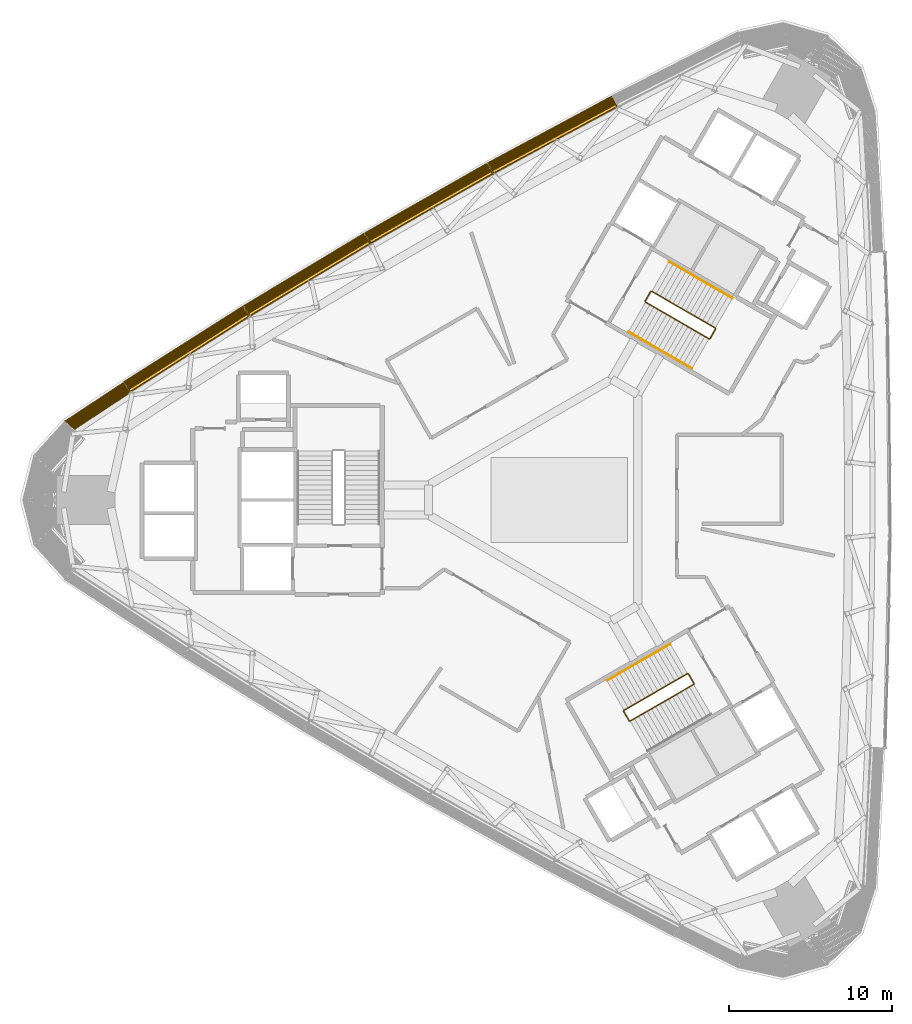
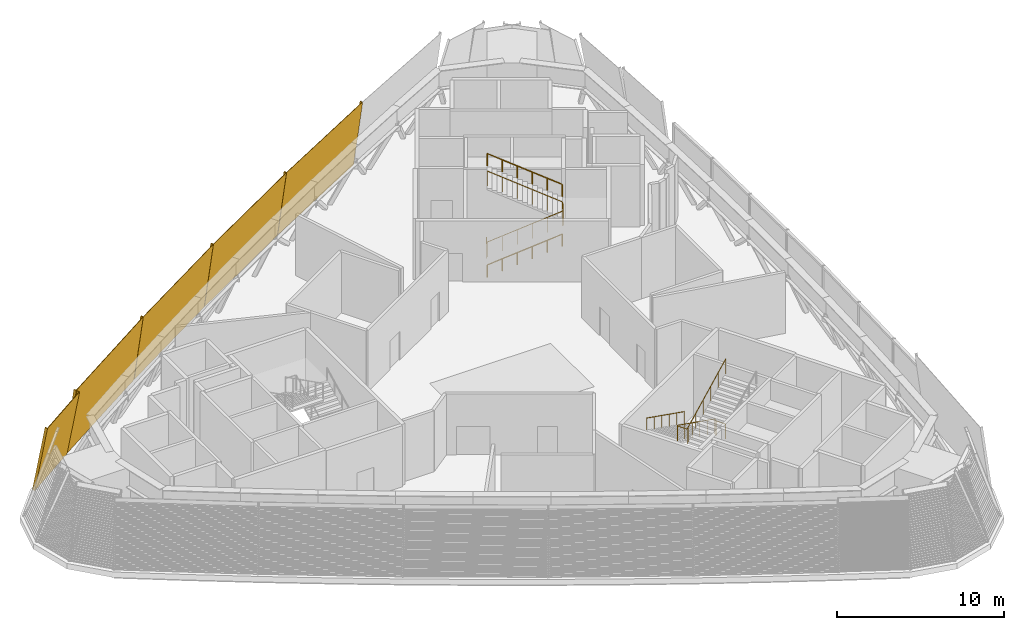
# One storey, part 16 of 18: 5 coverings, 5 railings.
"""IFC4 building model written with IfcOpenShell, lengths in metres."""

from ifc_helpers import new_model, si_unit, direction, frame, frame_2d, origin, origin_2d, place, context, subcontext, project, spatial, rectangle, circle, extrude, source, transform, mapped, material, type_object, element, save


model = new_model("IFC4")

# Units and contexts
model_context = context("Model", 3, precision=1e-05, world=origin(), true_north=direction((0.0, 1.0)))
body_context = subcontext(model_context, "Body", "Model", "MODEL_VIEW")
ifc_project = project(units=[si_unit("LENGTHUNIT", "METRE"), si_unit("AREAUNIT", "SQUARE_METRE"), si_unit("VOLUMEUNIT", "CUBIC_METRE"), si_unit("PLANEANGLEUNIT", "RADIAN"), si_unit("MASSUNIT", "GRAM", prefix="KILO")], contexts=[model_context])

# Site, building, storey
site_placement = place(None, origin())
site = spatial("IfcSite", under=ifc_project, at=site_placement, CompositionType="ELEMENT")
building_placement = place(site_placement, origin())
building = spatial("IfcBuilding", under=site, at=building_placement, Name="Tamra Quay Hotel Tower", CompositionType="ELEMENT")
storey_placement = place(building_placement, frame((0.0, 0.0, 164.800048828125)))
storey = spatial("IfcBuildingStorey", under=building, at=storey_placement, Name="L41", CompositionType="ELEMENT", Elevation=164.800048828125)

# Railings
ifc_material_1 = material(Name="Stair guard 1100")
railing_type_1 = type_object("IfcRailingType", Name="Stair guard 1100", PredefinedType="GUARDRAIL", material=ifc_material_1)
railing_1_placement = place(storey_placement, frame((5.595458984375, 12.751953125, 0.0)))
element("IfcRailing", 1, at=railing_1_placement, inside=storey, type_object=railing_type_1, Name="GR", PredefinedType="GUARDRAIL", context=body_context, shape_type="SweptSolid", body=[
    extrude(circle(Radius=0.02392578125, at=origin_2d()), frame((0.0, 0.0, 1.076171875), z_axis=(-0.499765215335, -0.866160914346, 0.0), x_axis=(0.866160914346, -0.499765215335, 0.0)), (0.0, 0.0, 1.0), 0.658935546875),
    extrude(circle(Radius=0.02392578125, at=origin_2d()), frame((-0.329345703125, -0.57080078125, 1.076171875), z_axis=(0.110525977783, -0.411156637351, 0.904839338113), x_axis=(0.965715946433, 0.259601060869, 0.0)), (0.0, 0.0, 1.0), 0.165771484375),
    extrude(circle(Radius=0.02392578125, at=origin_2d()), frame((-0.31103515625, -0.638916015625, 1.22607421875), z_axis=(0.774058831731, -0.446948546627, 0.448408208764), x_axis=(0.500038154266, 0.866003374288, 0.0)), (0.0, 0.0, 1.0), 5.017822265625),
    extrude(circle(Radius=0.02392578125, at=origin_2d()), frame((3.572998046875, -2.881591796875, 3.47607421875), z_axis=(0.965948051503, 0.258736085224, 0.0), x_axis=(-0.258736085224, 0.965948051503, 0.0)), (0.0, 0.0, 1.0), 0.07080078125),
    extrude(circle(Radius=0.02392578125, at=origin_2d()), frame((3.641357421875, -2.86328125, 3.47607421875), z_axis=(0.499765215335, 0.866160914346, 0.0), x_axis=(-0.866160914346, 0.499765215335, 0.0)), (0.0, 0.0, 1.0), 0.658935546875),
    extrude(circle(Radius=0.02392578125, at=origin_2d()), frame((3.970703125, -2.29248046875, 3.47607421875), z_axis=(-0.110312011401, 0.411831509231, 0.90455849349), x_axis=(-0.965948051503, -0.258736085224, 0.0)), (0.0, 0.0, 1.0), 0.166015625),
    extrude(circle(Radius=0.02392578125, at=origin_2d()), frame((3.952392578125, -2.22412109375, 3.6259765625), z_axis=(-0.774075664405, 0.446909609502, 0.448417959844), x_axis=(-0.499997328569, -0.86602694613, 0.0)), (0.0, 0.0, 1.0), 5.017578125),
    extrude(circle(Radius=0.02099609375, at=origin_2d()), origin(), (0.0, 0.0, 1.0), 1.052001953125),
    extrude(circle(Radius=0.02099609375, at=origin_2d()), frame((-0.329345703125, -0.57080078125, 0.0)), (0.0, 0.0, 1.0), 1.052001953125),
    extrude(circle(Radius=0.02099609375, at=origin_2d()), frame((-0.31103515625, -0.638916015625, 0.14990234375)), (0.0, 0.0, 1.0), 1.052001953125),
    extrude(circle(Radius=0.02099609375, at=origin_2d()), frame((0.4658203125, -1.08740234375, 0.599853515625)), (0.0, 0.0, 1.0), 1.052001953125),
    extrude(circle(Radius=0.02099609375, at=origin_2d()), frame((1.24267578125, -1.535888671875, 1.0498046875)), (0.0, 0.0, 1.0), 1.052001953125),
    extrude(circle(Radius=0.02099609375, at=origin_2d()), frame((2.019287109375, -1.984619140625, 1.5)), (0.0, 0.0, 1.0), 1.052001953125),
    extrude(circle(Radius=0.02099609375, at=origin_2d()), frame((2.796142578125, -2.43310546875, 1.949951171875)), (0.0, 0.0, 1.0), 1.052001953125),
    extrude(circle(Radius=0.02099609375, at=origin_2d()), frame((3.572998046875, -2.881591796875, 2.39990234375)), (0.0, 0.0, 1.0), 1.052001953125),
    extrude(circle(Radius=0.02099609375, at=origin_2d()), frame((3.641357421875, -2.86328125, 2.39990234375)), (0.0, 0.0, 1.0), 1.052001953125),
    extrude(circle(Radius=0.02099609375, at=origin_2d()), frame((3.970703125, -2.29248046875, 2.39990234375)), (0.0, 0.0, 1.0), 1.052001953125),
    extrude(circle(Radius=0.02099609375, at=origin_2d()), frame((3.952392578125, -2.22412109375, 2.550048828125)), (0.0, 0.0, 1.0), 1.052001953125),
    extrude(circle(Radius=0.02099609375, at=origin_2d()), frame((3.175537109375, -1.775634765625, 3.0)), (0.0, 0.0, 1.0), 1.052001953125),
    extrude(circle(Radius=0.02099609375, at=origin_2d()), frame((2.398681640625, -1.3271484375, 3.449951171875)), (0.0, 0.0, 1.0), 1.052001953125),
    extrude(circle(Radius=0.02099609375, at=origin_2d()), frame((1.6220703125, -0.878662109375, 3.900146484375)), (0.0, 0.0, 1.0), 1.052001953125),
    extrude(circle(Radius=0.02099609375, at=origin_2d()), frame((0.84521484375, -0.43017578125, 4.35009765625)), (0.0, 0.0, 1.0), 1.052001953125),
    extrude(circle(Radius=0.02099609375, at=origin_2d()), frame((0.068359375, 0.018310546875, 4.800048828125)), (0.0, 0.0, 1.0), 1.052001953125),
])
railing_2_placement = place(storey_placement, frame((8.245849609375, -11.221923828125, 0.0)))
element("IfcRailing", 2, at=railing_2_placement, inside=storey, type_object=railing_type_1, Name="GR", PredefinedType="GUARDRAIL", context=body_context, shape_type="SweptSolid", body=[
    extrude(circle(Radius=0.02392578125, at=origin_2d()), frame((0.0, 0.0, 1.076171875), z_axis=(-0.500043078269, 0.866000531106, 0.0), x_axis=(-0.866000531106, -0.500043078269, 0.0)), (0.0, 0.0, 1.0), 0.6591796875),
    extrude(circle(Radius=0.02392578125, at=origin_2d()), frame((-0.32958984375, 0.57080078125, 1.076171875), z_axis=(-0.41238007866, 0.110458949641, 0.904290601062), x_axis=(-0.258736085224, -0.965948051503, 0.0)), (0.0, 0.0, 1.0), 0.165771484375),
    extrude(circle(Radius=0.02392578125, at=origin_2d()), frame((-0.39794921875, 0.589111328125, 1.22607421875), z_axis=(-0.774075664405, -0.446909609502, 0.448417959844), x_axis=(0.499997328569, -0.86602694613, 0.0)), (0.0, 0.0, 1.0), 5.017578125),
    extrude(circle(Radius=0.02392578125, at=origin_2d()), frame((-4.281982421875, -1.6533203125, 3.47607421875), z_axis=(-0.258736085224, -0.965948051503, 0.0), x_axis=(0.965948051503, -0.258736085224, 0.0)), (0.0, 0.0, 1.0), 0.07080078125),
    extrude(circle(Radius=0.02392578125, at=origin_2d()), frame((-4.30029296875, -1.7216796875, 3.47607421875), z_axis=(0.499765215335, -0.866160914346, 0.0), x_axis=(0.866160914346, 0.499765215335, 0.0)), (0.0, 0.0, 1.0), 0.658935546875),
    extrude(circle(Radius=0.02392578125, at=origin_2d()), frame((-3.970947265625, -2.29248046875, 3.47607421875), z_axis=(0.411831509231, -0.110312011401, 0.90455849349), x_axis=(0.258736085224, 0.965948051503, 0.0)), (0.0, 0.0, 1.0), 0.166015625),
    extrude(circle(Radius=0.02392578125, at=origin_2d()), frame((-3.902587890625, -2.310791015625, 3.6259765625), z_axis=(0.774078333318, 0.446931714007, 0.448391321173), x_axis=(-0.500014583029, 0.866016984105, 0.0)), (0.0, 0.0, 1.0), 5.017822265625),
    extrude(circle(Radius=0.02099609375, at=origin_2d()), origin(), (0.0, 0.0, 1.0), 1.052001953125),
    extrude(circle(Radius=0.02099609375, at=origin_2d()), frame((-0.32958984375, 0.57080078125, 0.0)), (0.0, 0.0, 1.0), 1.052001953125),
    extrude(circle(Radius=0.02099609375, at=origin_2d()), frame((-0.39794921875, 0.589111328125, 0.14990234375)), (0.0, 0.0, 1.0), 1.052001953125),
    extrude(circle(Radius=0.02099609375, at=origin_2d()), frame((-1.1748046875, 0.140625, 0.599853515625)), (0.0, 0.0, 1.0), 1.052001953125),
    extrude(circle(Radius=0.02099609375, at=origin_2d()), frame((-1.95166015625, -0.307861328125, 1.0498046875)), (0.0, 0.0, 1.0), 1.052001953125),
    extrude(circle(Radius=0.02099609375, at=origin_2d()), frame((-2.728271484375, -0.75634765625, 1.5)), (0.0, 0.0, 1.0), 1.052001953125),
    extrude(circle(Radius=0.02099609375, at=origin_2d()), frame((-3.505126953125, -1.204833984375, 1.949951171875)), (0.0, 0.0, 1.0), 1.052001953125),
    extrude(circle(Radius=0.02099609375, at=origin_2d()), frame((-4.281982421875, -1.6533203125, 2.39990234375)), (0.0, 0.0, 1.0), 1.052001953125),
    extrude(circle(Radius=0.02099609375, at=origin_2d()), frame((-4.30029296875, -1.7216796875, 2.39990234375)), (0.0, 0.0, 1.0), 1.052001953125),
    extrude(circle(Radius=0.02099609375, at=origin_2d()), frame((-3.970947265625, -2.29248046875, 2.39990234375)), (0.0, 0.0, 1.0), 1.052001953125),
    extrude(circle(Radius=0.02099609375, at=origin_2d()), frame((-3.902587890625, -2.310791015625, 2.550048828125)), (0.0, 0.0, 1.0), 1.052001953125),
    extrude(circle(Radius=0.02099609375, at=origin_2d()), frame((-3.125732421875, -1.8623046875, 3.0)), (0.0, 0.0, 1.0), 1.052001953125),
    extrude(circle(Radius=0.02099609375, at=origin_2d()), frame((-2.348876953125, -1.413818359375, 3.449951171875)), (0.0, 0.0, 1.0), 1.052001953125),
    extrude(circle(Radius=0.02099609375, at=origin_2d()), frame((-1.572021484375, -0.965087890625, 3.900146484375)), (0.0, 0.0, 1.0), 1.052001953125),
    extrude(circle(Radius=0.02099609375, at=origin_2d()), frame((-0.795166015625, -0.5166015625, 4.35009765625)), (0.0, 0.0, 1.0), 1.052001953125),
    extrude(circle(Radius=0.02099609375, at=origin_2d()), frame((-0.018310546875, -0.068115234375, 4.800048828125)), (0.0, 0.0, 1.0), 1.052001953125),
])
ifc_material_2 = material(Name="Stair handrail 900")
railing_type_2 = type_object("IfcRailingType", Name="Stair handrail 900", PredefinedType="HANDRAIL", material=ifc_material_2)
railing_3_placement = place(storey_placement, frame((4.234375, 10.294189453125, 0.14990234375)))
element("IfcRailing", 3, at=railing_3_placement, inside=storey, type_object=railing_type_2, Name="HR", PredefinedType="HANDRAIL", context=body_context, shape_type="SweptSolid", body=[
    extrude(circle(Radius=0.02392578125, at=origin_2d()), frame((0.0, 0.0, 0.8759765625), z_axis=(0.774075664405, -0.446909609502, 0.448417959844), x_axis=(0.499997328569, 0.86602694613, 0.0)), (0.0, 0.0, 1.0), 5.017578125),
    extrude(circle(Radius=0.02099609375, at=origin_2d()), origin(), (0.0, 0.0, 1.0), 0.851806640625),
    extrude(circle(Radius=0.02099609375, at=origin_2d()), frame((0.77685546875, -0.448486328125, 0.449951171875)), (0.0, 0.0, 1.0), 0.851806640625),
    extrude(circle(Radius=0.02099609375, at=origin_2d()), frame((1.5537109375, -0.89697265625, 0.89990234375)), (0.0, 0.0, 1.0), 0.851806640625),
    extrude(circle(Radius=0.02099609375, at=origin_2d()), frame((2.330322265625, -1.345458984375, 1.35009765625)), (0.0, 0.0, 1.0), 0.851806640625),
    extrude(circle(Radius=0.02099609375, at=origin_2d()), frame((3.107177734375, -1.7939453125, 1.800048828125)), (0.0, 0.0, 1.0), 0.851806640625),
    extrude(circle(Radius=0.02099609375, at=origin_2d()), frame((3.884033203125, -2.242431640625, 2.25)), (0.0, 0.0, 1.0), 0.851806640625),
])
railing_4_placement = place(storey_placement, frame((10.597900390625, 12.346435546875, 2.550048828125)))
element("IfcRailing", 4, at=railing_4_placement, inside=storey, type_object=railing_type_2, Name="HR", PredefinedType="HANDRAIL", context=body_context, shape_type="SweptSolid", body=[
    extrude(circle(Radius=0.02392578125, at=origin_2d()), frame((0.0, 0.0, 0.8759765625), z_axis=(-0.774075664405, 0.446909609502, 0.448417959844), x_axis=(-0.499997328569, -0.86602694613, 0.0)), (0.0, 0.0, 1.0), 5.017578125),
    extrude(circle(Radius=0.02099609375, at=origin_2d()), origin(), (0.0, 0.0, 1.0), 0.851806640625),
    extrude(circle(Radius=0.02099609375, at=origin_2d()), frame((-0.77685546875, 0.448486328125, 0.449951171875)), (0.0, 0.0, 1.0), 0.851806640625),
    extrude(circle(Radius=0.02099609375, at=origin_2d()), frame((-1.5537109375, 0.89697265625, 0.89990234375)), (0.0, 0.0, 1.0), 0.851806640625),
    extrude(circle(Radius=0.02099609375, at=origin_2d()), frame((-2.330322265625, 1.345458984375, 1.35009765625)), (0.0, 0.0, 1.0), 0.851806640625),
    extrude(circle(Radius=0.02099609375, at=origin_2d()), frame((-3.107177734375, 1.7939453125, 1.800048828125)), (0.0, 0.0, 1.0), 0.851806640625),
    extrude(circle(Radius=0.02099609375, at=origin_2d()), frame((-3.884033203125, 2.242431640625, 2.25)), (0.0, 0.0, 1.0), 0.851806640625),
])
railing_5_placement = place(storey_placement, frame((6.7978515625, -8.814208984375, 0.14990234375)))
element("IfcRailing", 5, at=railing_5_placement, inside=storey, type_object=railing_type_2, Name="HR", PredefinedType="HANDRAIL", context=body_context, shape_type="SweptSolid", body=[
    extrude(circle(Radius=0.02392578125, at=origin_2d()), frame((0.0, 0.0, 0.8759765625), z_axis=(-0.774075664405, -0.446909609502, 0.448417959844), x_axis=(0.499997328569, -0.86602694613, 0.0)), (0.0, 0.0, 1.0), 5.017578125),
    extrude(circle(Radius=0.02099609375, at=origin_2d()), origin(), (0.0, 0.0, 1.0), 0.851806640625),
    extrude(circle(Radius=0.02099609375, at=origin_2d()), frame((-0.77685546875, -0.448486328125, 0.449951171875)), (0.0, 0.0, 1.0), 0.851806640625),
    extrude(circle(Radius=0.02099609375, at=origin_2d()), frame((-1.5537109375, -0.89697265625, 0.89990234375)), (0.0, 0.0, 1.0), 0.851806640625),
    extrude(circle(Radius=0.02099609375, at=origin_2d()), frame((-2.330322265625, -1.345458984375, 1.35009765625)), (0.0, 0.0, 1.0), 0.851806640625),
    extrude(circle(Radius=0.02099609375, at=origin_2d()), frame((-3.107177734375, -1.7939453125, 1.800048828125)), (0.0, 0.0, 1.0), 0.851806640625),
    extrude(circle(Radius=0.02099609375, at=origin_2d()), frame((-3.884033203125, -2.242431640625, 2.25)), (0.0, 0.0, 1.0), 0.851806640625),
])

# Coverings
ifc_material_3 = material(Name="Terracotta louvre panel", Category="masonry")
covering_type_1 = type_object("IfcCoveringType", Name="PLANT LOUVRE H4841", PredefinedType="USERDEFINED", material=ifc_material_3)
shared_shape_1 = source(origin(), body_context, "Body", "SweptSolid", [
    extrude(rectangle(XDim=8.639892578125, YDim=0.030029296875, at=frame_2d((4.31982421875, 0.01513671875))), frame((-4.320068359375, -0.030029296875, 0.0)), (0.0, 0.0, 1.0), 4.841064453125),
    extrude(rectangle(XDim=0.050048828125, YDim=0.139892578125, at=frame_2d((0.02490234375, 0.06982421875))), frame((-4.320068359375, -0.169921875, 0.0)), (0.0, 0.0, 1.0), 4.841064453125),
    extrude(rectangle(XDim=0.050048828125, YDim=0.139892578125, at=frame_2d((0.02490234375, 0.06982421875))), frame((4.27001953125, -0.169921875, 0.0)), (0.0, 0.0, 1.0), 4.841064453125),
    extrude(rectangle(XDim=8.5400390625, YDim=0.139892578125, at=frame_2d((4.27001953125, 0.06982421875))), frame((-4.27001953125, -0.169921875, 0.050048828125)), (0.0, 0.0, 1.0), 0.034912109375),
    extrude(rectangle(XDim=8.5400390625, YDim=0.139892578125, at=frame_2d((4.27001953125, 0.06982421875))), frame((-4.27001953125, -0.169921875, 0.2099609375)), (0.0, 0.0, 1.0), 0.034912109375),
    extrude(rectangle(XDim=8.5400390625, YDim=0.139892578125, at=frame_2d((4.27001953125, 0.06982421875))), frame((-4.27001953125, -0.169921875, 0.3701171875)), (0.0, 0.0, 1.0), 0.034912109375),
    extrude(rectangle(XDim=8.5400390625, YDim=0.139892578125, at=frame_2d((4.27001953125, 0.06982421875))), frame((-4.27001953125, -0.169921875, 0.530029296875)), (0.0, 0.0, 1.0), 0.034912109375),
    extrude(rectangle(XDim=8.5400390625, YDim=0.139892578125, at=frame_2d((4.27001953125, 0.06982421875))), frame((-4.27001953125, -0.169921875, 0.68994140625)), (0.0, 0.0, 1.0), 0.034912109375),
    extrude(rectangle(XDim=8.5400390625, YDim=0.139892578125, at=frame_2d((4.27001953125, 0.06982421875))), frame((-4.27001953125, -0.169921875, 0.85009765625)), (0.0, 0.0, 1.0), 0.034912109375),
    extrude(rectangle(XDim=8.5400390625, YDim=0.139892578125, at=frame_2d((4.27001953125, 0.06982421875))), frame((-4.27001953125, -0.169921875, 1.010009765625)), (0.0, 0.0, 1.0), 0.034912109375),
    extrude(rectangle(XDim=8.5400390625, YDim=0.139892578125, at=frame_2d((4.27001953125, 0.06982421875))), frame((-4.27001953125, -0.169921875, 1.169921875)), (0.0, 0.0, 1.0), 0.034912109375),
    extrude(rectangle(XDim=8.5400390625, YDim=0.139892578125, at=frame_2d((4.27001953125, 0.06982421875))), frame((-4.27001953125, -0.169921875, 1.330078125)), (0.0, 0.0, 1.0), 0.034912109375),
    extrude(rectangle(XDim=8.5400390625, YDim=0.139892578125, at=frame_2d((4.27001953125, 0.06982421875))), frame((-4.27001953125, -0.169921875, 1.489990234375)), (0.0, 0.0, 1.0), 0.034912109375),
    extrude(rectangle(XDim=8.5400390625, YDim=0.139892578125, at=frame_2d((4.27001953125, 0.06982421875))), frame((-4.27001953125, -0.169921875, 1.64990234375)), (0.0, 0.0, 1.0), 0.034912109375),
    extrude(rectangle(XDim=8.5400390625, YDim=0.139892578125, at=frame_2d((4.27001953125, 0.06982421875))), frame((-4.27001953125, -0.169921875, 1.81005859375)), (0.0, 0.0, 1.0), 0.034912109375),
    extrude(rectangle(XDim=8.5400390625, YDim=0.139892578125, at=frame_2d((4.27001953125, 0.06982421875))), frame((-4.27001953125, -0.169921875, 1.969970703125)), (0.0, 0.0, 1.0), 0.034912109375),
    extrude(rectangle(XDim=8.5400390625, YDim=0.139892578125, at=frame_2d((4.27001953125, 0.06982421875))), frame((-4.27001953125, -0.169921875, 2.1298828125)), (0.0, 0.0, 1.0), 0.034912109375),
    extrude(rectangle(XDim=8.5400390625, YDim=0.139892578125, at=frame_2d((4.27001953125, 0.06982421875))), frame((-4.27001953125, -0.169921875, 2.2900390625)), (0.0, 0.0, 1.0), 0.034912109375),
    extrude(rectangle(XDim=8.5400390625, YDim=0.139892578125, at=frame_2d((4.27001953125, 0.06982421875))), frame((-4.27001953125, -0.169921875, 2.449951171875)), (0.0, 0.0, 1.0), 0.034912109375),
    extrude(rectangle(XDim=8.5400390625, YDim=0.139892578125, at=frame_2d((4.27001953125, 0.06982421875))), frame((-4.27001953125, -0.169921875, 2.610107421875)), (0.0, 0.0, 1.0), 0.034912109375),
    extrude(rectangle(XDim=8.5400390625, YDim=0.139892578125, at=frame_2d((4.27001953125, 0.06982421875))), frame((-4.27001953125, -0.169921875, 2.77001953125)), (0.0, 0.0, 1.0), 0.034912109375),
    extrude(rectangle(XDim=8.5400390625, YDim=0.139892578125, at=frame_2d((4.27001953125, 0.06982421875))), frame((-4.27001953125, -0.169921875, 2.929931640625)), (0.0, 0.0, 1.0), 0.034912109375),
    extrude(rectangle(XDim=8.5400390625, YDim=0.139892578125, at=frame_2d((4.27001953125, 0.06982421875))), frame((-4.27001953125, -0.169921875, 3.090087890625)), (0.0, 0.0, 1.0), 0.034912109375),
    extrude(rectangle(XDim=8.5400390625, YDim=0.139892578125, at=frame_2d((4.27001953125, 0.06982421875))), frame((-4.27001953125, -0.169921875, 3.25)), (0.0, 0.0, 1.0), 0.034912109375),
    extrude(rectangle(XDim=8.5400390625, YDim=0.139892578125, at=frame_2d((4.27001953125, 0.06982421875))), frame((-4.27001953125, -0.169921875, 3.409912109375)), (0.0, 0.0, 1.0), 0.034912109375),
    extrude(rectangle(XDim=8.5400390625, YDim=0.139892578125, at=frame_2d((4.27001953125, 0.06982421875))), frame((-4.27001953125, -0.169921875, 3.570068359375)), (0.0, 0.0, 1.0), 0.034912109375),
    extrude(rectangle(XDim=8.5400390625, YDim=0.139892578125, at=frame_2d((4.27001953125, 0.06982421875))), frame((-4.27001953125, -0.169921875, 3.72998046875)), (0.0, 0.0, 1.0), 0.034912109375),
    extrude(rectangle(XDim=8.5400390625, YDim=0.139892578125, at=frame_2d((4.27001953125, 0.06982421875))), frame((-4.27001953125, -0.169921875, 3.889892578125)), (0.0, 0.0, 1.0), 0.034912109375),
    extrude(rectangle(XDim=8.5400390625, YDim=0.139892578125, at=frame_2d((4.27001953125, 0.06982421875))), frame((-4.27001953125, -0.169921875, 4.050048828125)), (0.0, 0.0, 1.0), 0.034912109375),
    extrude(rectangle(XDim=8.5400390625, YDim=0.139892578125, at=frame_2d((4.27001953125, 0.06982421875))), frame((-4.27001953125, -0.169921875, 4.2099609375)), (0.0, 0.0, 1.0), 0.034912109375),
    extrude(rectangle(XDim=8.5400390625, YDim=0.139892578125, at=frame_2d((4.27001953125, 0.06982421875))), frame((-4.27001953125, -0.169921875, 4.3701171875)), (0.0, 0.0, 1.0), 0.034912109375),
    extrude(rectangle(XDim=8.5400390625, YDim=0.139892578125, at=frame_2d((4.27001953125, 0.06982421875))), frame((-4.27001953125, -0.169921875, 4.530029296875)), (0.0, 0.0, 1.0), 0.034912109375),
])
for number, where, z_axis, x_axis, name in (
    (6, (-0.518798828125, 22.5546875, 0.0), (0.061857381125, -0.114938032243, 0.991444861374), (-0.880574467757, -0.473907804044, 0.0), "Plant louvre L41.NW.f02"),
    (7, (-8.09814453125, 18.358154296875, 0.0), (0.064586136788, -0.113427147502, 0.991444861374), (-0.868999130154, -0.494813613184, 0.0), "Plant louvre L41.NW.f04"),
    (8, (-15.574951171875, 13.981689453125, 0.0), (0.067279099969, -0.111850836219, 0.991444861374), (-0.856922540346, -0.515445205475, 0.0), "Plant louvre L41.NW.f06"),
    (9, (-22.945068359375, 9.427734375, 0.0), (0.069930666853, -0.11021247066, 0.991444861374), (-0.844370534263, -0.535759648414, 0.0), "Plant louvre L41.NW.f08"),
):
    element("IfcCovering", number, at=place(storey_placement, frame(where, z_axis=z_axis, x_axis=x_axis)), inside=storey, type_object=covering_type_1, Name=name, ObjectType="LOUVER", PredefinedType="USERDEFINED", context=body_context, shape_type="MappedRepresentation", body=[
        mapped(shared_shape_1, transform((0.0, 0.0, 0.0), scale=1.0)),
    ])
covering_type_2 = type_object("IfcCoveringType", Name="PLANT LOUVRE H4874", PredefinedType="USERDEFINED", material=ifc_material_3)
shared_shape_2 = source(origin(), body_context, "Body", "SweptSolid", [
    extrude(rectangle(XDim=4.300048828125, YDim=0.030029296875, at=frame_2d((2.14990234375, 0.01513671875))), frame((-2.14990234375, -0.030029296875, 0.0)), (0.0, 0.0, 1.0), 4.8740234375),
    extrude(rectangle(XDim=0.050048828125, YDim=0.139892578125, at=frame_2d((0.02490234375, 0.06982421875))), frame((-2.14990234375, -0.169921875, 0.0)), (0.0, 0.0, 1.0), 4.8740234375),
    extrude(rectangle(XDim=0.050048828125, YDim=0.139892578125, at=frame_2d((0.02490234375, 0.06982421875))), frame((2.10009765625, -0.169921875, 0.0)), (0.0, 0.0, 1.0), 4.8740234375),
    extrude(rectangle(XDim=4.199951171875, YDim=0.139892578125, at=frame_2d((2.10009765625, 0.06982421875))), frame((-2.10009765625, -0.169921875, 0.050048828125)), (0.0, 0.0, 1.0), 0.034912109375),
    extrude(rectangle(XDim=4.199951171875, YDim=0.139892578125, at=frame_2d((2.10009765625, 0.06982421875))), frame((-2.10009765625, -0.169921875, 0.2099609375)), (0.0, 0.0, 1.0), 0.034912109375),
    extrude(rectangle(XDim=4.199951171875, YDim=0.139892578125, at=frame_2d((2.10009765625, 0.06982421875))), frame((-2.10009765625, -0.169921875, 0.3701171875)), (0.0, 0.0, 1.0), 0.034912109375),
    extrude(rectangle(XDim=4.199951171875, YDim=0.139892578125, at=frame_2d((2.10009765625, 0.06982421875))), frame((-2.10009765625, -0.169921875, 0.530029296875)), (0.0, 0.0, 1.0), 0.034912109375),
    extrude(rectangle(XDim=4.199951171875, YDim=0.139892578125, at=frame_2d((2.10009765625, 0.06982421875))), frame((-2.10009765625, -0.169921875, 0.68994140625)), (0.0, 0.0, 1.0), 0.034912109375),
    extrude(rectangle(XDim=4.199951171875, YDim=0.139892578125, at=frame_2d((2.10009765625, 0.06982421875))), frame((-2.10009765625, -0.169921875, 0.85009765625)), (0.0, 0.0, 1.0), 0.034912109375),
    extrude(rectangle(XDim=4.199951171875, YDim=0.139892578125, at=frame_2d((2.10009765625, 0.06982421875))), frame((-2.10009765625, -0.169921875, 1.010009765625)), (0.0, 0.0, 1.0), 0.034912109375),
    extrude(rectangle(XDim=4.199951171875, YDim=0.139892578125, at=frame_2d((2.10009765625, 0.06982421875))), frame((-2.10009765625, -0.169921875, 1.169921875)), (0.0, 0.0, 1.0), 0.034912109375),
    extrude(rectangle(XDim=4.199951171875, YDim=0.139892578125, at=frame_2d((2.10009765625, 0.06982421875))), frame((-2.10009765625, -0.169921875, 1.330078125)), (0.0, 0.0, 1.0), 0.034912109375),
    extrude(rectangle(XDim=4.199951171875, YDim=0.139892578125, at=frame_2d((2.10009765625, 0.06982421875))), frame((-2.10009765625, -0.169921875, 1.489990234375)), (0.0, 0.0, 1.0), 0.034912109375),
    extrude(rectangle(XDim=4.199951171875, YDim=0.139892578125, at=frame_2d((2.10009765625, 0.06982421875))), frame((-2.10009765625, -0.169921875, 1.64990234375)), (0.0, 0.0, 1.0), 0.034912109375),
    extrude(rectangle(XDim=4.199951171875, YDim=0.139892578125, at=frame_2d((2.10009765625, 0.06982421875))), frame((-2.10009765625, -0.169921875, 1.81005859375)), (0.0, 0.0, 1.0), 0.034912109375),
    extrude(rectangle(XDim=4.199951171875, YDim=0.139892578125, at=frame_2d((2.10009765625, 0.06982421875))), frame((-2.10009765625, -0.169921875, 1.969970703125)), (0.0, 0.0, 1.0), 0.034912109375),
    extrude(rectangle(XDim=4.199951171875, YDim=0.139892578125, at=frame_2d((2.10009765625, 0.06982421875))), frame((-2.10009765625, -0.169921875, 2.1298828125)), (0.0, 0.0, 1.0), 0.034912109375),
    extrude(rectangle(XDim=4.199951171875, YDim=0.139892578125, at=frame_2d((2.10009765625, 0.06982421875))), frame((-2.10009765625, -0.169921875, 2.2900390625)), (0.0, 0.0, 1.0), 0.034912109375),
    extrude(rectangle(XDim=4.199951171875, YDim=0.139892578125, at=frame_2d((2.10009765625, 0.06982421875))), frame((-2.10009765625, -0.169921875, 2.449951171875)), (0.0, 0.0, 1.0), 0.034912109375),
    extrude(rectangle(XDim=4.199951171875, YDim=0.139892578125, at=frame_2d((2.10009765625, 0.06982421875))), frame((-2.10009765625, -0.169921875, 2.610107421875)), (0.0, 0.0, 1.0), 0.034912109375),
    extrude(rectangle(XDim=4.199951171875, YDim=0.139892578125, at=frame_2d((2.10009765625, 0.06982421875))), frame((-2.10009765625, -0.169921875, 2.77001953125)), (0.0, 0.0, 1.0), 0.034912109375),
    extrude(rectangle(XDim=4.199951171875, YDim=0.139892578125, at=frame_2d((2.10009765625, 0.06982421875))), frame((-2.10009765625, -0.169921875, 2.929931640625)), (0.0, 0.0, 1.0), 0.034912109375),
    extrude(rectangle(XDim=4.199951171875, YDim=0.139892578125, at=frame_2d((2.10009765625, 0.06982421875))), frame((-2.10009765625, -0.169921875, 3.090087890625)), (0.0, 0.0, 1.0), 0.034912109375),
    extrude(rectangle(XDim=4.199951171875, YDim=0.139892578125, at=frame_2d((2.10009765625, 0.06982421875))), frame((-2.10009765625, -0.169921875, 3.25)), (0.0, 0.0, 1.0), 0.034912109375),
    extrude(rectangle(XDim=4.199951171875, YDim=0.139892578125, at=frame_2d((2.10009765625, 0.06982421875))), frame((-2.10009765625, -0.169921875, 3.409912109375)), (0.0, 0.0, 1.0), 0.034912109375),
    extrude(rectangle(XDim=4.199951171875, YDim=0.139892578125, at=frame_2d((2.10009765625, 0.06982421875))), frame((-2.10009765625, -0.169921875, 3.570068359375)), (0.0, 0.0, 1.0), 0.034912109375),
    extrude(rectangle(XDim=4.199951171875, YDim=0.139892578125, at=frame_2d((2.10009765625, 0.06982421875))), frame((-2.10009765625, -0.169921875, 3.72998046875)), (0.0, 0.0, 1.0), 0.034912109375),
    extrude(rectangle(XDim=4.199951171875, YDim=0.139892578125, at=frame_2d((2.10009765625, 0.06982421875))), frame((-2.10009765625, -0.169921875, 3.889892578125)), (0.0, 0.0, 1.0), 0.034912109375),
    extrude(rectangle(XDim=4.199951171875, YDim=0.139892578125, at=frame_2d((2.10009765625, 0.06982421875))), frame((-2.10009765625, -0.169921875, 4.050048828125)), (0.0, 0.0, 1.0), 0.034912109375),
    extrude(rectangle(XDim=4.199951171875, YDim=0.139892578125, at=frame_2d((2.10009765625, 0.06982421875))), frame((-2.10009765625, -0.169921875, 4.2099609375)), (0.0, 0.0, 1.0), 0.034912109375),
    extrude(rectangle(XDim=4.199951171875, YDim=0.139892578125, at=frame_2d((2.10009765625, 0.06982421875))), frame((-2.10009765625, -0.169921875, 4.3701171875)), (0.0, 0.0, 1.0), 0.034912109375),
    extrude(rectangle(XDim=4.199951171875, YDim=0.139892578125, at=frame_2d((2.10009765625, 0.06982421875))), frame((-2.10009765625, -0.169921875, 4.530029296875)), (0.0, 0.0, 1.0), 0.034912109375),
])
covering_placement = place(storey_placement, frame((-28.396484375, 5.892333984375, 0.0), z_axis=(0.095638731195, -0.144937651087, 0.984807753012), x_axis=(-0.834662666974, -0.550761502249, 0.0)))
element("IfcCovering", 10, at=covering_placement, inside=storey, type_object=covering_type_2, Name="Plant louvre L41.NW.f10", ObjectType="LOUVER", PredefinedType="USERDEFINED", context=body_context, shape_type="MappedRepresentation", body=[
    mapped(shared_shape_2, transform((0.0, 0.0, 0.0), scale=1.0)),
])

save(model, "model.ifc")
